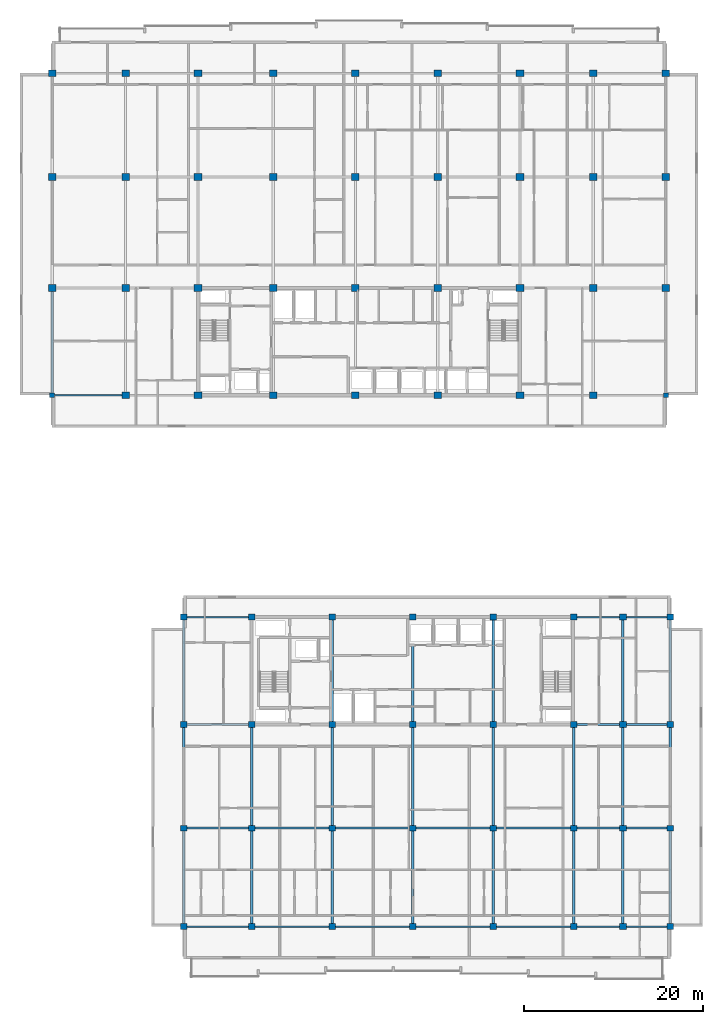
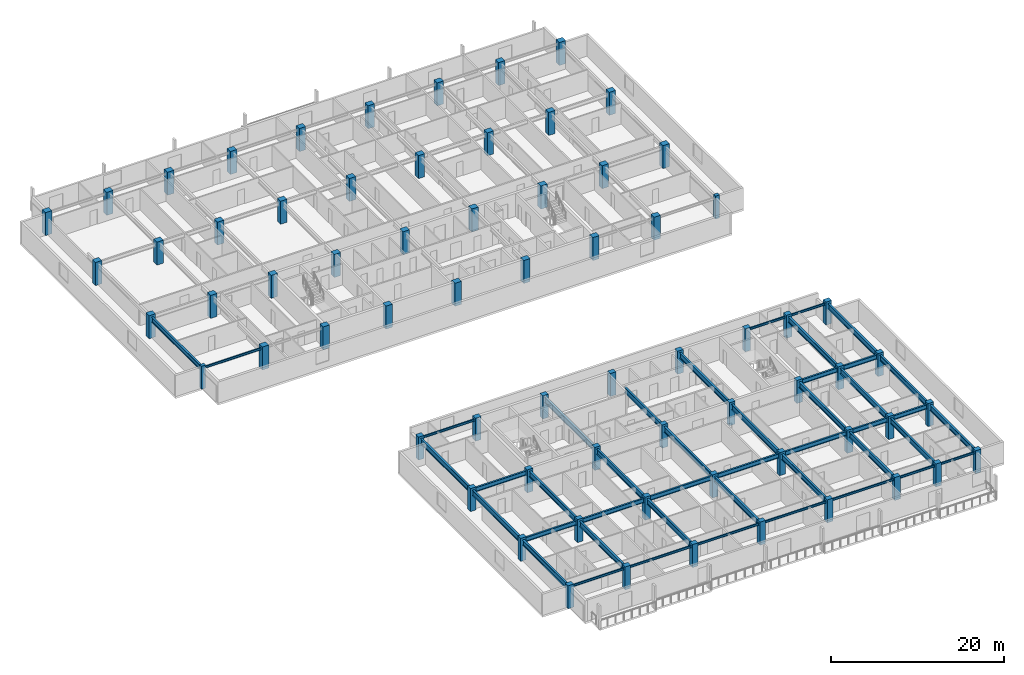
# One storey, part 1 of 21: 68 columns, 44 beams.
"""IFC4 building model written with IfcOpenShell, lengths in metres."""

from ifc_helpers import new_model, si_unit, direction, frame, origin, origin_2d, place, context, subcontext, project, spatial, rectangle, i_section, extrude, material, material_profile, profile_set, type_object, element, save


model = new_model("IFC4")

# Units and contexts
model_context = context("Model", 3, precision=1e-05, world=origin(), true_north=direction((0.0, 1.0)))
body_context = subcontext(model_context, "Body", "Model", "MODEL_VIEW")
ifc_project = project(units=[si_unit("LENGTHUNIT", "METRE"), si_unit("AREAUNIT", "SQUARE_METRE"), si_unit("VOLUMEUNIT", "CUBIC_METRE"), si_unit("PLANEANGLEUNIT", "RADIAN"), si_unit("MASSUNIT", "GRAM", prefix="KILO")], contexts=[model_context])

# Site, building, storey
site_placement = place(None, origin())
site = spatial("IfcSite", under=ifc_project, at=site_placement, CompositionType="ELEMENT")
building_placement = place(site_placement, origin())
building = spatial("IfcBuilding", under=site, at=building_placement, Name="Korimba Cascade Residences", CompositionType="ELEMENT")
storey_placement = place(building_placement, frame((0.0, 0.0, 171.85009765625)))
storey = spatial("IfcBuildingStorey", under=building, at=storey_placement, Name="L49", CompositionType="ELEMENT", Elevation=171.85009765625)

# Columns
ifc_material_1 = material(Name="Concrete C65/80", Category="concrete")
ifc_material_profile_1 = material_profile(ifc_material_1, rectangle(XDim=0.550048828125, YDim=0.449951171875, at=origin_2d()), Name="Concrete C65/80")
ifc_profile_set_1 = profile_set([ifc_material_profile_1], Name="Concrete C65/80")
column_type_1 = type_object("IfcColumnType", Name="COL-PIL-550", PredefinedType="PILASTER", material=ifc_profile_set_1)
for number, where, z_axis, x_axis, name in (
    (1, (59.800048828125, 55.199951171875, 0.0), (0.0, 0.0, 1.0), (1.0, 0.0, 0.0), "L49 Tower 1 Column 1.1"),
    (2, (128.39990234375, 55.199951171875, 0.0), (0.0, 0.0, 1.0), (1.0, 0.0, 0.0), "L49 Tower 1 Column 9.1"),
):
    element("IfcColumn", number, at=place(storey_placement, frame(where, z_axis=z_axis, x_axis=x_axis)), inside=storey, type_object=column_type_1, Name=name, PredefinedType="PILASTER", context=body_context, shape_type="SweptSolid", body=[
        extrude(rectangle(XDim=0.550048828125, YDim=0.449951171875, at=origin_2d()), origin(), (0.0, 0.0, 1.0), 3.25),
    ])
ifc_material_2 = material(Name="Concrete C50/60", Category="concrete")
ifc_material_profile_2 = material_profile(ifc_material_2, rectangle(XDim=0.75, YDim=0.64990234375, at=origin_2d()), Name="Concrete C50/60")
ifc_profile_set_2 = profile_set([ifc_material_profile_2], Name="Concrete C50/60")
column_type_2 = type_object("IfcColumnType", Name="COL-RC-750", PredefinedType="COLUMN", material=ifc_profile_set_2)
for number, where, z_axis, x_axis, name in (
    (3, (74.5, -4.199951171875, 0.0), (0.0, 0.0, 1.0), (1.0, 0.0, 0.0), "L49 Tower 2 Column 1.1"),
    (4, (74.5, 6.800048828125, 0.0), (0.0, 0.0, 1.0), (1.0, 0.0, 0.0), "L49 Tower 2 Column 1.2"),
    (5, (74.5, 18.39990234375, 0.0), (0.0, 0.0, 1.0), (1.0, 0.0, 0.0), "L49 Tower 2 Column 1.3"),
    (6, (74.5, 30.39990234375, 0.0), (0.0, 0.0, 1.0), (1.0, 0.0, 0.0), "L49 Tower 2 Column 1.4"),
    (7, (82.10009765625, -4.199951171875, 0.0), (0.0, 0.0, 1.0), (1.0, 0.0, 0.0), "L49 Tower 2 Column 2.1"),
    (8, (82.10009765625, 6.800048828125, 0.0), (0.0, 0.0, 1.0), (1.0, 0.0, 0.0), "L49 Tower 2 Column 2.2"),
    (9, (82.10009765625, 18.39990234375, 0.0), (0.0, 0.0, 1.0), (1.0, 0.0, 0.0), "L49 Tower 2 Column 2.3"),
    (10, (82.10009765625, 30.39990234375, 0.0), (0.0, 0.0, 1.0), (1.0, 0.0, 0.0), "L49 Tower 2 Column 2.4"),
    (11, (91.10009765625, -4.199951171875, 0.0), (0.0, 0.0, 1.0), (1.0, 0.0, 0.0), "L49 Tower 2 Column 3.1"),
    (12, (91.10009765625, 6.800048828125, 0.0), (0.0, 0.0, 1.0), (1.0, 0.0, 0.0), "L49 Tower 2 Column 3.2"),
    (13, (91.10009765625, 18.39990234375, 0.0), (0.0, 0.0, 1.0), (1.0, 0.0, 0.0), "L49 Tower 2 Column 3.3"),
    (14, (91.10009765625, 30.39990234375, 0.0), (0.0, 0.0, 1.0), (1.0, 0.0, 0.0), "L49 Tower 2 Column 3.4"),
    (15, (100.10009765625, -4.199951171875, 0.0), (0.0, 0.0, 1.0), (1.0, 0.0, 0.0), "L49 Tower 2 Column 4.1"),
    (16, (100.10009765625, 6.800048828125, 0.0), (0.0, 0.0, 1.0), (1.0, 0.0, 0.0), "L49 Tower 2 Column 4.2"),
    (17, (100.10009765625, 18.39990234375, 0.0), (0.0, 0.0, 1.0), (1.0, 0.0, 0.0), "L49 Tower 2 Column 4.3"),
    (18, (100.10009765625, 30.39990234375, 0.0), (0.0, 0.0, 1.0), (1.0, 0.0, 0.0), "L49 Tower 2 Column 4.4"),
    (19, (109.10009765625, -4.199951171875, 0.0), (0.0, 0.0, 1.0), (1.0, 0.0, 0.0), "L49 Tower 2 Column 5.1"),
    (20, (109.10009765625, 6.800048828125, 0.0), (0.0, 0.0, 1.0), (1.0, 0.0, 0.0), "L49 Tower 2 Column 5.2"),
    (21, (109.10009765625, 18.39990234375, 0.0), (0.0, 0.0, 1.0), (1.0, 0.0, 0.0), "L49 Tower 2 Column 5.3"),
    (22, (109.10009765625, 30.39990234375, 0.0), (0.0, 0.0, 1.0), (1.0, 0.0, 0.0), "L49 Tower 2 Column 5.4"),
    (23, (118.10009765625, -4.199951171875, 0.0), (0.0, 0.0, 1.0), (1.0, 0.0, 0.0), "L49 Tower 2 Column 6.1"),
    (24, (118.10009765625, 6.800048828125, 0.0), (0.0, 0.0, 1.0), (1.0, 0.0, 0.0), "L49 Tower 2 Column 6.2"),
    (25, (118.10009765625, 18.39990234375, 0.0), (0.0, 0.0, 1.0), (1.0, 0.0, 0.0), "L49 Tower 2 Column 6.3"),
    (26, (118.10009765625, 30.39990234375, 0.0), (0.0, 0.0, 1.0), (1.0, 0.0, 0.0), "L49 Tower 2 Column 6.4"),
    (27, (123.60009765625, -4.199951171875, 0.0), (0.0, 0.0, 1.0), (1.0, 0.0, 0.0), "L49 Tower 2 Column 7.1"),
    (28, (123.60009765625, 6.800048828125, 0.0), (0.0, 0.0, 1.0), (1.0, 0.0, 0.0), "L49 Tower 2 Column 7.2"),
    (29, (123.60009765625, 18.39990234375, 0.0), (0.0, 0.0, 1.0), (1.0, 0.0, 0.0), "L49 Tower 2 Column 7.3"),
    (30, (123.60009765625, 30.39990234375, 0.0), (0.0, 0.0, 1.0), (1.0, 0.0, 0.0), "L49 Tower 2 Column 7.4"),
    (31, (128.89990234375, -4.199951171875, 0.0), (0.0, 0.0, 1.0), (1.0, 0.0, 0.0), "L49 Tower 2 Column 8.1"),
    (32, (128.89990234375, 6.800048828125, 0.0), (0.0, 0.0, 1.0), (1.0, 0.0, 0.0), "L49 Tower 2 Column 8.2"),
    (33, (128.89990234375, 18.39990234375, 0.0), (0.0, 0.0, 1.0), (1.0, 0.0, 0.0), "L49 Tower 2 Column 8.3"),
    (34, (128.89990234375, 30.39990234375, 0.0), (0.0, 0.0, 1.0), (1.0, 0.0, 0.0), "L49 Tower 2 Column 8.4"),
):
    element("IfcColumn", number, at=place(storey_placement, frame(where, z_axis=z_axis, x_axis=x_axis)), inside=storey, type_object=column_type_2, Name=name, PredefinedType="COLUMN", context=body_context, shape_type="SweptSolid", body=[
        extrude(rectangle(XDim=0.75, YDim=0.64990234375, at=origin_2d()), origin(), (0.0, 0.0, 1.0), 3.25),
    ])
ifc_material_profile_3 = material_profile(ifc_material_1, rectangle(XDim=0.85009765625, YDim=0.75, at=origin_2d()), Name="Concrete C65/80")
ifc_profile_set_3 = profile_set([ifc_material_profile_3], Name="Concrete C65/80")
column_type_3 = type_object("IfcColumnType", Name="COL-RC-850", PredefinedType="COLUMN", material=ifc_profile_set_3)
for number, where, z_axis, x_axis, name in (
    (35, (59.800048828125, 67.199951171875, 0.0), (0.0, 0.0, 1.0), (1.0, 0.0, 0.0), "L49 Tower 1 Column 1.2"),
    (36, (59.800048828125, 79.60009765625, 0.0), (0.0, 0.0, 1.0), (1.0, 0.0, 0.0), "L49 Tower 1 Column 1.3"),
    (37, (59.800048828125, 91.199951171875, 0.0), (0.0, 0.0, 1.0), (1.0, 0.0, 0.0), "L49 Tower 1 Column 1.4"),
    (38, (68.0, 55.199951171875, 0.0), (0.0, 0.0, 1.0), (1.0, 0.0, 0.0), "L49 Tower 1 Column 2.1"),
    (39, (68.0, 67.199951171875, 0.0), (0.0, 0.0, 1.0), (1.0, 0.0, 0.0), "L49 Tower 1 Column 2.2"),
    (40, (68.0, 79.60009765625, 0.0), (0.0, 0.0, 1.0), (1.0, 0.0, 0.0), "L49 Tower 1 Column 2.3"),
    (41, (68.0, 91.199951171875, 0.0), (0.0, 0.0, 1.0), (1.0, 0.0, 0.0), "L49 Tower 1 Column 2.4"),
    (42, (76.10009765625, 55.199951171875, 0.0), (0.0, 0.0, 1.0), (1.0, 0.0, 0.0), "L49 Tower 1 Column 3.1"),
    (43, (76.10009765625, 67.199951171875, 0.0), (0.0, 0.0, 1.0), (1.0, 0.0, 0.0), "L49 Tower 1 Column 3.2"),
    (44, (76.10009765625, 79.60009765625, 0.0), (0.0, 0.0, 1.0), (1.0, 0.0, 0.0), "L49 Tower 1 Column 3.3"),
    (45, (76.10009765625, 91.199951171875, 0.0), (0.0, 0.0, 1.0), (1.0, 0.0, 0.0), "L49 Tower 1 Column 3.4"),
    (46, (84.5, 55.199951171875, 0.0), (0.0, 0.0, 1.0), (1.0, 0.0, 0.0), "L49 Tower 1 Column 4.1"),
    (47, (84.5, 67.199951171875, 0.0), (0.0, 0.0, 1.0), (1.0, 0.0, 0.0), "L49 Tower 1 Column 4.2"),
    (48, (84.5, 79.60009765625, 0.0), (0.0, 0.0, 1.0), (1.0, 0.0, 0.0), "L49 Tower 1 Column 4.3"),
    (49, (84.5, 91.199951171875, 0.0), (0.0, 0.0, 1.0), (1.0, 0.0, 0.0), "L49 Tower 1 Column 4.4"),
    (50, (93.699951171875, 55.199951171875, 0.0), (0.0, 0.0, 1.0), (1.0, 0.0, 0.0), "L49 Tower 1 Column 5.1"),
    (51, (93.699951171875, 67.199951171875, 0.0), (0.0, 0.0, 1.0), (1.0, 0.0, 0.0), "L49 Tower 1 Column 5.2"),
    (52, (93.699951171875, 79.60009765625, 0.0), (0.0, 0.0, 1.0), (1.0, 0.0, 0.0), "L49 Tower 1 Column 5.3"),
    (53, (93.699951171875, 91.199951171875, 0.0), (0.0, 0.0, 1.0), (1.0, 0.0, 0.0), "L49 Tower 1 Column 5.4"),
    (54, (102.89990234375, 55.199951171875, 0.0), (0.0, 0.0, 1.0), (1.0, 0.0, 0.0), "L49 Tower 1 Column 6.1"),
    (55, (102.89990234375, 67.199951171875, 0.0), (0.0, 0.0, 1.0), (1.0, 0.0, 0.0), "L49 Tower 1 Column 6.2"),
    (56, (102.89990234375, 79.60009765625, 0.0), (0.0, 0.0, 1.0), (1.0, 0.0, 0.0), "L49 Tower 1 Column 6.3"),
    (57, (102.89990234375, 91.199951171875, 0.0), (0.0, 0.0, 1.0), (1.0, 0.0, 0.0), "L49 Tower 1 Column 6.4"),
    (58, (112.10009765625, 55.199951171875, 0.0), (0.0, 0.0, 1.0), (1.0, 0.0, 0.0), "L49 Tower 1 Column 7.1"),
    (59, (112.10009765625, 67.199951171875, 0.0), (0.0, 0.0, 1.0), (1.0, 0.0, 0.0), "L49 Tower 1 Column 7.2"),
    (60, (112.10009765625, 79.60009765625, 0.0), (0.0, 0.0, 1.0), (1.0, 0.0, 0.0), "L49 Tower 1 Column 7.3"),
    (61, (112.10009765625, 91.199951171875, 0.0), (0.0, 0.0, 1.0), (1.0, 0.0, 0.0), "L49 Tower 1 Column 7.4"),
    (62, (120.300048828125, 55.199951171875, 0.0), (0.0, 0.0, 1.0), (1.0, 0.0, 0.0), "L49 Tower 1 Column 8.1"),
    (63, (120.300048828125, 67.199951171875, 0.0), (0.0, 0.0, 1.0), (1.0, 0.0, 0.0), "L49 Tower 1 Column 8.2"),
    (64, (120.300048828125, 79.60009765625, 0.0), (0.0, 0.0, 1.0), (1.0, 0.0, 0.0), "L49 Tower 1 Column 8.3"),
    (65, (120.300048828125, 91.199951171875, 0.0), (0.0, 0.0, 1.0), (1.0, 0.0, 0.0), "L49 Tower 1 Column 8.4"),
    (66, (128.39990234375, 67.199951171875, 0.0), (0.0, 0.0, 1.0), (1.0, 0.0, 0.0), "L49 Tower 1 Column 9.2"),
    (67, (128.39990234375, 79.60009765625, 0.0), (0.0, 0.0, 1.0), (1.0, 0.0, 0.0), "L49 Tower 1 Column 9.3"),
    (68, (128.39990234375, 91.199951171875, 0.0), (0.0, 0.0, 1.0), (1.0, 0.0, 0.0), "L49 Tower 1 Column 9.4"),
):
    element("IfcColumn", number, at=place(storey_placement, frame(where, z_axis=z_axis, x_axis=x_axis)), inside=storey, type_object=column_type_3, Name=name, PredefinedType="COLUMN", context=body_context, shape_type="SweptSolid", body=[
        extrude(rectangle(XDim=0.85009765625, YDim=0.75, at=origin_2d()), origin(), (0.0, 0.0, 1.0), 3.25),
    ])

# Beams
ifc_material_3 = material(Name="Steel S355", Category="steel")
ifc_material_profile_4 = material_profile(ifc_material_3, i_section(OverallWidth=0.165771484375, OverallDepth=0.306640625, WebThickness=0.006591796875, FlangeThickness=0.01171875, FilletRadius=0.0087890625, at=origin_2d()), Name="Steel S355")
ifc_profile_set_4 = profile_set([ifc_material_profile_4], Name="Steel S355")
beam_type_1 = type_object("IfcBeamType", Name="BM-STL-UB305", PredefinedType="SPANDREL", material=ifc_profile_set_4)
beam_1_placement = place(storey_placement, frame((60.074951171875, 55.199951171875, 2.816650390625), z_axis=(1.0, 0.0, 0.0), x_axis=(0.0, 1.0, 0.0)))
element("IfcBeam", 69, at=beam_1_placement, inside=storey, type_object=beam_type_1, Name="L49 T1 E-W Girder Y1 Bay 1", PredefinedType="SPANDREL", context=body_context, shape_type="SweptSolid", body=[
    extrude(i_section(OverallWidth=0.165771484375, OverallDepth=0.306640625, WebThickness=0.006591796875, FlangeThickness=0.01171875, FilletRadius=0.0087890625, at=origin_2d()), origin(), (0.0, 0.0, 1.0), 7.5),
])
beam_2_placement = place(storey_placement, frame((74.875, -4.199951171875, 2.816650390625), z_axis=(1.0, 0.0, 0.0), x_axis=(0.0, 1.0, 0.0)))
element("IfcBeam", 70, at=beam_2_placement, inside=storey, type_object=beam_type_1, Name="L49 T2 E-W Girder Y1 Bay 1", PredefinedType="SPANDREL", context=body_context, shape_type="SweptSolid", body=[
    extrude(i_section(OverallWidth=0.165771484375, OverallDepth=0.306640625, WebThickness=0.006591796875, FlangeThickness=0.01171875, FilletRadius=0.0087890625, at=origin_2d()), origin(), (0.0, 0.0, 1.0), 6.85009765625),
])
for number, where, z_axis, x_axis, name in (
    (71, (82.47509765625, -4.199951171875, 2.816650390625), (1.0, 0.0, 0.0), (0.0, 1.0, 0.0), "L49 T2 E-W Girder Y1 Bay 2"),
    (72, (91.47509765625, -4.199951171875, 2.816650390625), (1.0, 0.0, 0.0), (0.0, 1.0, 0.0), "L49 T2 E-W Girder Y1 Bay 3"),
    (73, (100.47509765625, -4.199951171875, 2.816650390625), (1.0, 0.0, 0.0), (0.0, 1.0, 0.0), "L49 T2 E-W Girder Y1 Bay 4"),
    (74, (109.47509765625, -4.199951171875, 2.816650390625), (1.0, 0.0, 0.0), (0.0, 1.0, 0.0), "L49 T2 E-W Girder Y1 Bay 5"),
):
    element("IfcBeam", number, at=place(storey_placement, frame(where, z_axis=z_axis, x_axis=x_axis)), inside=storey, type_object=beam_type_1, Name=name, PredefinedType="SPANDREL", context=body_context, shape_type="SweptSolid", body=[
        extrude(i_section(OverallWidth=0.165771484375, OverallDepth=0.306640625, WebThickness=0.006591796875, FlangeThickness=0.01171875, FilletRadius=0.0087890625, at=origin_2d()), origin(), (0.0, 0.0, 1.0), 8.25),
    ])
beam_3_placement = place(storey_placement, frame((118.47509765625, -4.199951171875, 2.816650390625), z_axis=(1.0, 0.0, 0.0), x_axis=(0.0, 1.0, 0.0)))
element("IfcBeam", 75, at=beam_3_placement, inside=storey, type_object=beam_type_1, Name="L49 T2 E-W Girder Y1 Bay 6", PredefinedType="SPANDREL", context=body_context, shape_type="SweptSolid", body=[
    extrude(i_section(OverallWidth=0.165771484375, OverallDepth=0.306640625, WebThickness=0.006591796875, FlangeThickness=0.01171875, FilletRadius=0.0087890625, at=origin_2d()), origin(), (0.0, 0.0, 1.0), 4.75),
])
beam_4_placement = place(storey_placement, frame((123.97509765625, -4.199951171875, 2.816650390625), z_axis=(1.0, 0.0, 0.0), x_axis=(0.0, 1.0, 0.0)))
element("IfcBeam", 76, at=beam_4_placement, inside=storey, type_object=beam_type_1, Name="L49 T2 E-W Girder Y1 Bay 7", PredefinedType="SPANDREL", context=body_context, shape_type="SweptSolid", body=[
    extrude(i_section(OverallWidth=0.165771484375, OverallDepth=0.306640625, WebThickness=0.006591796875, FlangeThickness=0.01171875, FilletRadius=0.0087890625, at=origin_2d()), origin(), (0.0, 0.0, 1.0), 4.5498046875),
])
beam_5_placement = place(storey_placement, frame((74.875, 30.39990234375, 2.816650390625), z_axis=(1.0, 0.0, 0.0), x_axis=(0.0, 1.0, 0.0)))
element("IfcBeam", 77, at=beam_5_placement, inside=storey, type_object=beam_type_1, Name="L49 T2 E-W Girder Y4 Bay 1", PredefinedType="SPANDREL", context=body_context, shape_type="SweptSolid", body=[
    extrude(i_section(OverallWidth=0.165771484375, OverallDepth=0.306640625, WebThickness=0.006591796875, FlangeThickness=0.01171875, FilletRadius=0.0087890625, at=origin_2d()), origin(), (0.0, 0.0, 1.0), 6.85009765625),
])
beam_6_placement = place(storey_placement, frame((118.47509765625, 30.39990234375, 2.816650390625), z_axis=(1.0, 0.0, 0.0), x_axis=(0.0, 1.0, 0.0)))
element("IfcBeam", 78, at=beam_6_placement, inside=storey, type_object=beam_type_1, Name="L49 T2 E-W Girder Y4 Bay 6", PredefinedType="SPANDREL", context=body_context, shape_type="SweptSolid", body=[
    extrude(i_section(OverallWidth=0.165771484375, OverallDepth=0.306640625, WebThickness=0.006591796875, FlangeThickness=0.01171875, FilletRadius=0.0087890625, at=origin_2d()), origin(), (0.0, 0.0, 1.0), 4.75),
])
beam_7_placement = place(storey_placement, frame((123.97509765625, 30.39990234375, 2.816650390625), z_axis=(1.0, 0.0, 0.0), x_axis=(0.0, 1.0, 0.0)))
element("IfcBeam", 79, at=beam_7_placement, inside=storey, type_object=beam_type_1, Name="L49 T2 E-W Girder Y4 Bay 7", PredefinedType="SPANDREL", context=body_context, shape_type="SweptSolid", body=[
    extrude(i_section(OverallWidth=0.165771484375, OverallDepth=0.306640625, WebThickness=0.006591796875, FlangeThickness=0.01171875, FilletRadius=0.0087890625, at=origin_2d()), origin(), (0.0, 0.0, 1.0), 4.5498046875),
])
ifc_material_profile_5 = material_profile(ifc_material_3, i_section(OverallWidth=0.22900390625, OverallDepth=0.6123046875, WebThickness=0.011962890625, FlangeThickness=0.01953125, FilletRadius=0.0126953125, at=origin_2d()), Name="Steel S355")
ifc_profile_set_5 = profile_set([ifc_material_profile_5], Name="Steel S355")
beam_type_2 = type_object("IfcBeamType", Name="BM-STL-UB610B", PredefinedType="BEAM", material=ifc_profile_set_5)
beam_8_placement = place(storey_placement, frame((74.875, 6.800048828125, 2.663818359375), z_axis=(1.0, 0.0, 0.0), x_axis=(0.0, 1.0, 0.0)))
element("IfcBeam", 80, at=beam_8_placement, inside=storey, type_object=beam_type_2, Name="L49 T2 E-W Girder Y2 Bay 1", PredefinedType="BEAM", context=body_context, shape_type="SweptSolid", body=[
    extrude(i_section(OverallWidth=0.22900390625, OverallDepth=0.6123046875, WebThickness=0.011962890625, FlangeThickness=0.01953125, FilletRadius=0.0126953125, at=origin_2d()), origin(), (0.0, 0.0, 1.0), 6.85009765625),
])
for number, where, z_axis, x_axis, name in (
    (81, (82.47509765625, 6.800048828125, 2.663818359375), (1.0, 0.0, 0.0), (0.0, 1.0, 0.0), "L49 T2 E-W Girder Y2 Bay 2"),
    (82, (91.47509765625, 6.800048828125, 2.663818359375), (1.0, 0.0, 0.0), (0.0, 1.0, 0.0), "L49 T2 E-W Girder Y2 Bay 3"),
    (83, (100.47509765625, 6.800048828125, 2.663818359375), (1.0, 0.0, 0.0), (0.0, 1.0, 0.0), "L49 T2 E-W Girder Y2 Bay 4"),
    (84, (109.47509765625, 6.800048828125, 2.663818359375), (1.0, 0.0, 0.0), (0.0, 1.0, 0.0), "L49 T2 E-W Girder Y2 Bay 5"),
):
    element("IfcBeam", number, at=place(storey_placement, frame(where, z_axis=z_axis, x_axis=x_axis)), inside=storey, type_object=beam_type_2, Name=name, PredefinedType="BEAM", context=body_context, shape_type="SweptSolid", body=[
        extrude(i_section(OverallWidth=0.22900390625, OverallDepth=0.6123046875, WebThickness=0.011962890625, FlangeThickness=0.01953125, FilletRadius=0.0126953125, at=origin_2d()), origin(), (0.0, 0.0, 1.0), 8.25),
    ])
beam_9_placement = place(storey_placement, frame((118.47509765625, 6.800048828125, 2.663818359375), z_axis=(1.0, 0.0, 0.0), x_axis=(0.0, 1.0, 0.0)))
element("IfcBeam", 85, at=beam_9_placement, inside=storey, type_object=beam_type_2, Name="L49 T2 E-W Girder Y2 Bay 6", PredefinedType="BEAM", context=body_context, shape_type="SweptSolid", body=[
    extrude(i_section(OverallWidth=0.22900390625, OverallDepth=0.6123046875, WebThickness=0.011962890625, FlangeThickness=0.01953125, FilletRadius=0.0126953125, at=origin_2d()), origin(), (0.0, 0.0, 1.0), 4.75),
])
beam_10_placement = place(storey_placement, frame((123.97509765625, 6.800048828125, 2.663818359375), z_axis=(1.0, 0.0, 0.0), x_axis=(0.0, 1.0, 0.0)))
element("IfcBeam", 86, at=beam_10_placement, inside=storey, type_object=beam_type_2, Name="L49 T2 E-W Girder Y2 Bay 7", PredefinedType="BEAM", context=body_context, shape_type="SweptSolid", body=[
    extrude(i_section(OverallWidth=0.22900390625, OverallDepth=0.6123046875, WebThickness=0.011962890625, FlangeThickness=0.01953125, FilletRadius=0.0126953125, at=origin_2d()), origin(), (0.0, 0.0, 1.0), 4.5498046875),
])
beam_11_placement = place(storey_placement, frame((74.875, 18.39990234375, 2.663818359375), z_axis=(1.0, 0.0, 0.0), x_axis=(0.0, 1.0, 0.0)))
element("IfcBeam", 87, at=beam_11_placement, inside=storey, type_object=beam_type_2, Name="L49 T2 E-W Girder Y3 Bay 1", PredefinedType="BEAM", context=body_context, shape_type="SweptSolid", body=[
    extrude(i_section(OverallWidth=0.22900390625, OverallDepth=0.6123046875, WebThickness=0.011962890625, FlangeThickness=0.01953125, FilletRadius=0.0126953125, at=origin_2d()), origin(), (0.0, 0.0, 1.0), 6.85009765625),
])
beam_12_placement = place(storey_placement, frame((118.47509765625, 18.39990234375, 2.663818359375), z_axis=(1.0, 0.0, 0.0), x_axis=(0.0, 1.0, 0.0)))
element("IfcBeam", 88, at=beam_12_placement, inside=storey, type_object=beam_type_2, Name="L49 T2 E-W Girder Y3 Bay 6", PredefinedType="BEAM", context=body_context, shape_type="SweptSolid", body=[
    extrude(i_section(OverallWidth=0.22900390625, OverallDepth=0.6123046875, WebThickness=0.011962890625, FlangeThickness=0.01953125, FilletRadius=0.0126953125, at=origin_2d()), origin(), (0.0, 0.0, 1.0), 4.75),
])
beam_13_placement = place(storey_placement, frame((123.97509765625, 18.39990234375, 2.663818359375), z_axis=(1.0, 0.0, 0.0), x_axis=(0.0, 1.0, 0.0)))
element("IfcBeam", 89, at=beam_13_placement, inside=storey, type_object=beam_type_2, Name="L49 T2 E-W Girder Y3 Bay 7", PredefinedType="BEAM", context=body_context, shape_type="SweptSolid", body=[
    extrude(i_section(OverallWidth=0.22900390625, OverallDepth=0.6123046875, WebThickness=0.011962890625, FlangeThickness=0.01953125, FilletRadius=0.0126953125, at=origin_2d()), origin(), (0.0, 0.0, 1.0), 4.5498046875),
])
ifc_material_profile_6 = material_profile(ifc_material_3, i_section(OverallWidth=0.255859375, OverallDepth=0.69287109375, WebThickness=0.014404296875, FlangeThickness=0.023681640625, FilletRadius=0.01513671875, at=origin_2d()), Name="Steel S355")
ifc_profile_set_6 = profile_set([ifc_material_profile_6], Name="Steel S355")
beam_type_3 = type_object("IfcBeamType", Name="BM-STL-UB686", PredefinedType="BEAM", material=ifc_profile_set_6)
beam_14_placement = place(storey_placement, frame((59.800048828125, 55.425048828125, 2.623291015625), z_axis=(0.0, 1.0, 0.0), x_axis=(-1.0, 0.0, 0.0)))
element("IfcBeam", 90, at=beam_14_placement, inside=storey, type_object=beam_type_3, Name="L49 T1 N-S Girder X1 Seg 1", PredefinedType="BEAM", context=body_context, shape_type="SweptSolid", body=[
    extrude(i_section(OverallWidth=0.255859375, OverallDepth=0.69287109375, WebThickness=0.014404296875, FlangeThickness=0.023681640625, FilletRadius=0.01513671875, at=origin_2d()), origin(), (0.0, 0.0, 1.0), 11.39990234375),
])
ifc_material_profile_7 = material_profile(ifc_material_3, i_section(OverallWidth=0.26806640625, OverallDepth=0.769775390625, WebThickness=0.015625, FlangeThickness=0.025390625, FilletRadius=0.0166015625, at=origin_2d()), Name="Steel S355")
ifc_profile_set_7 = profile_set([ifc_material_profile_7], Name="Steel S355")
beam_type_4 = type_object("IfcBeamType", Name="BM-STL-UB762", PredefinedType="BEAM", material=ifc_profile_set_7)
beam_15_placement = place(storey_placement, frame((74.5, -3.875, 2.5849609375), z_axis=(0.0, 1.0, 0.0), x_axis=(-1.0, 0.0, 0.0)))
element("IfcBeam", 91, at=beam_15_placement, inside=storey, type_object=beam_type_4, Name="L49 T2 N-S Girder X1 Seg 1", PredefinedType="BEAM", context=body_context, shape_type="SweptSolid", body=[
    extrude(i_section(OverallWidth=0.26806640625, OverallDepth=0.769775390625, WebThickness=0.015625, FlangeThickness=0.025390625, FilletRadius=0.0166015625, at=origin_2d()), origin(), (0.0, 0.0, 1.0), 10.35009765625),
])
beam_16_placement = place(storey_placement, frame((74.5, 7.125, 2.5849609375), z_axis=(0.0, 1.0, 0.0), x_axis=(-1.0, 0.0, 0.0)))
element("IfcBeam", 92, at=beam_16_placement, inside=storey, type_object=beam_type_4, Name="L49 T2 N-S Girder X1 Seg 2", PredefinedType="BEAM", context=body_context, shape_type="SweptSolid", body=[
    extrude(i_section(OverallWidth=0.26806640625, OverallDepth=0.769775390625, WebThickness=0.015625, FlangeThickness=0.025390625, FilletRadius=0.0166015625, at=origin_2d()), origin(), (0.0, 0.0, 1.0), 10.949951171875),
])
beam_17_placement = place(storey_placement, frame((74.5, 18.72509765625, 2.5849609375), z_axis=(0.0, 1.0, 0.0), x_axis=(-1.0, 0.0, 0.0)))
element("IfcBeam", 93, at=beam_17_placement, inside=storey, type_object=beam_type_4, Name="L49 T2 N-S Girder X1 Seg 3", PredefinedType="BEAM", context=body_context, shape_type="SweptSolid", body=[
    extrude(i_section(OverallWidth=0.26806640625, OverallDepth=0.769775390625, WebThickness=0.015625, FlangeThickness=0.025390625, FilletRadius=0.0166015625, at=origin_2d()), origin(), (0.0, 0.0, 1.0), 11.349853515625),
])
beam_18_placement = place(storey_placement, frame((82.10009765625, -3.875, 2.5849609375), z_axis=(0.0, 1.0, 0.0), x_axis=(-1.0, 0.0, 0.0)))
element("IfcBeam", 94, at=beam_18_placement, inside=storey, type_object=beam_type_4, Name="L49 T2 N-S Girder X2 Seg 1", PredefinedType="BEAM", context=body_context, shape_type="SweptSolid", body=[
    extrude(i_section(OverallWidth=0.26806640625, OverallDepth=0.769775390625, WebThickness=0.015625, FlangeThickness=0.025390625, FilletRadius=0.0166015625, at=origin_2d()), origin(), (0.0, 0.0, 1.0), 10.35009765625),
])
beam_19_placement = place(storey_placement, frame((82.10009765625, 7.125, 2.5849609375), z_axis=(0.0, 1.0, 0.0), x_axis=(-1.0, 0.0, 0.0)))
element("IfcBeam", 95, at=beam_19_placement, inside=storey, type_object=beam_type_4, Name="L49 T2 N-S Girder X2 Seg 2", PredefinedType="BEAM", context=body_context, shape_type="SweptSolid", body=[
    extrude(i_section(OverallWidth=0.26806640625, OverallDepth=0.769775390625, WebThickness=0.015625, FlangeThickness=0.025390625, FilletRadius=0.0166015625, at=origin_2d()), origin(), (0.0, 0.0, 1.0), 10.949951171875),
])
beam_20_placement = place(storey_placement, frame((91.10009765625, -3.875, 2.5849609375), z_axis=(0.0, 1.0, 0.0), x_axis=(-1.0, 0.0, 0.0)))
element("IfcBeam", 96, at=beam_20_placement, inside=storey, type_object=beam_type_4, Name="L49 T2 N-S Girder X3 Seg 1", PredefinedType="BEAM", context=body_context, shape_type="SweptSolid", body=[
    extrude(i_section(OverallWidth=0.26806640625, OverallDepth=0.769775390625, WebThickness=0.015625, FlangeThickness=0.025390625, FilletRadius=0.0166015625, at=origin_2d()), origin(), (0.0, 0.0, 1.0), 10.35009765625),
])
beam_21_placement = place(storey_placement, frame((91.10009765625, 7.125, 2.5849609375), z_axis=(0.0, 1.0, 0.0), x_axis=(-1.0, 0.0, 0.0)))
element("IfcBeam", 97, at=beam_21_placement, inside=storey, type_object=beam_type_4, Name="L49 T2 N-S Girder X3 Seg 2", PredefinedType="BEAM", context=body_context, shape_type="SweptSolid", body=[
    extrude(i_section(OverallWidth=0.26806640625, OverallDepth=0.769775390625, WebThickness=0.015625, FlangeThickness=0.025390625, FilletRadius=0.0166015625, at=origin_2d()), origin(), (0.0, 0.0, 1.0), 10.949951171875),
])
beam_22_placement = place(storey_placement, frame((91.10009765625, 18.72509765625, 2.5849609375), z_axis=(0.0, 1.0, 0.0), x_axis=(-1.0, 0.0, 0.0)))
element("IfcBeam", 98, at=beam_22_placement, inside=storey, type_object=beam_type_4, Name="L49 T2 N-S Girder X3 Seg 3", PredefinedType="BEAM", context=body_context, shape_type="SweptSolid", body=[
    extrude(i_section(OverallWidth=0.26806640625, OverallDepth=0.769775390625, WebThickness=0.015625, FlangeThickness=0.025390625, FilletRadius=0.0166015625, at=origin_2d()), origin(), (0.0, 0.0, 1.0), 11.349853515625),
])
beam_23_placement = place(storey_placement, frame((100.10009765625, -3.875, 2.5849609375), z_axis=(0.0, 1.0, 0.0), x_axis=(-1.0, 0.0, 0.0)))
element("IfcBeam", 99, at=beam_23_placement, inside=storey, type_object=beam_type_4, Name="L49 T2 N-S Girder X4 Seg 1", PredefinedType="BEAM", context=body_context, shape_type="SweptSolid", body=[
    extrude(i_section(OverallWidth=0.26806640625, OverallDepth=0.769775390625, WebThickness=0.015625, FlangeThickness=0.025390625, FilletRadius=0.0166015625, at=origin_2d()), origin(), (0.0, 0.0, 1.0), 10.35009765625),
])
beam_24_placement = place(storey_placement, frame((100.10009765625, 7.125, 2.5849609375), z_axis=(0.0, 1.0, 0.0), x_axis=(-1.0, 0.0, 0.0)))
element("IfcBeam", 100, at=beam_24_placement, inside=storey, type_object=beam_type_4, Name="L49 T2 N-S Girder X4 Seg 2", PredefinedType="BEAM", context=body_context, shape_type="SweptSolid", body=[
    extrude(i_section(OverallWidth=0.26806640625, OverallDepth=0.769775390625, WebThickness=0.015625, FlangeThickness=0.025390625, FilletRadius=0.0166015625, at=origin_2d()), origin(), (0.0, 0.0, 1.0), 10.949951171875),
])
beam_25_placement = place(storey_placement, frame((100.10009765625, 18.72509765625, 2.5849609375), z_axis=(0.0, 1.0, 0.0), x_axis=(-1.0, 0.0, 0.0)))
element("IfcBeam", 101, at=beam_25_placement, inside=storey, type_object=beam_type_4, Name="L49 T2 N-S Girder X4 Seg 3", PredefinedType="BEAM", context=body_context, shape_type="SweptSolid", body=[
    extrude(i_section(OverallWidth=0.26806640625, OverallDepth=0.769775390625, WebThickness=0.015625, FlangeThickness=0.025390625, FilletRadius=0.0166015625, at=origin_2d()), origin(), (0.0, 0.0, 1.0), 8.614990234375),
])
beam_26_placement = place(storey_placement, frame((109.10009765625, -3.875, 2.5849609375), z_axis=(0.0, 1.0, 0.0), x_axis=(-1.0, 0.0, 0.0)))
element("IfcBeam", 102, at=beam_26_placement, inside=storey, type_object=beam_type_4, Name="L49 T2 N-S Girder X5 Seg 1", PredefinedType="BEAM", context=body_context, shape_type="SweptSolid", body=[
    extrude(i_section(OverallWidth=0.26806640625, OverallDepth=0.769775390625, WebThickness=0.015625, FlangeThickness=0.025390625, FilletRadius=0.0166015625, at=origin_2d()), origin(), (0.0, 0.0, 1.0), 10.35009765625),
])
beam_27_placement = place(storey_placement, frame((109.10009765625, 7.125, 2.5849609375), z_axis=(0.0, 1.0, 0.0), x_axis=(-1.0, 0.0, 0.0)))
element("IfcBeam", 103, at=beam_27_placement, inside=storey, type_object=beam_type_4, Name="L49 T2 N-S Girder X5 Seg 2", PredefinedType="BEAM", context=body_context, shape_type="SweptSolid", body=[
    extrude(i_section(OverallWidth=0.26806640625, OverallDepth=0.769775390625, WebThickness=0.015625, FlangeThickness=0.025390625, FilletRadius=0.0166015625, at=origin_2d()), origin(), (0.0, 0.0, 1.0), 10.949951171875),
])
beam_28_placement = place(storey_placement, frame((109.10009765625, 18.72509765625, 2.5849609375), z_axis=(0.0, 1.0, 0.0), x_axis=(-1.0, 0.0, 0.0)))
element("IfcBeam", 104, at=beam_28_placement, inside=storey, type_object=beam_type_4, Name="L49 T2 N-S Girder X5 Seg 3", PredefinedType="BEAM", context=body_context, shape_type="SweptSolid", body=[
    extrude(i_section(OverallWidth=0.26806640625, OverallDepth=0.769775390625, WebThickness=0.015625, FlangeThickness=0.025390625, FilletRadius=0.0166015625, at=origin_2d()), origin(), (0.0, 0.0, 1.0), 11.349853515625),
])
beam_29_placement = place(storey_placement, frame((118.10009765625, -3.875, 2.5849609375), z_axis=(0.0, 1.0, 0.0), x_axis=(-1.0, 0.0, 0.0)))
element("IfcBeam", 105, at=beam_29_placement, inside=storey, type_object=beam_type_4, Name="L49 T2 N-S Girder X6 Seg 1", PredefinedType="BEAM", context=body_context, shape_type="SweptSolid", body=[
    extrude(i_section(OverallWidth=0.26806640625, OverallDepth=0.769775390625, WebThickness=0.015625, FlangeThickness=0.025390625, FilletRadius=0.0166015625, at=origin_2d()), origin(), (0.0, 0.0, 1.0), 10.35009765625),
])
beam_30_placement = place(storey_placement, frame((118.10009765625, 7.125, 2.5849609375), z_axis=(0.0, 1.0, 0.0), x_axis=(-1.0, 0.0, 0.0)))
element("IfcBeam", 106, at=beam_30_placement, inside=storey, type_object=beam_type_4, Name="L49 T2 N-S Girder X6 Seg 2", PredefinedType="BEAM", context=body_context, shape_type="SweptSolid", body=[
    extrude(i_section(OverallWidth=0.26806640625, OverallDepth=0.769775390625, WebThickness=0.015625, FlangeThickness=0.025390625, FilletRadius=0.0166015625, at=origin_2d()), origin(), (0.0, 0.0, 1.0), 10.949951171875),
])
beam_31_placement = place(storey_placement, frame((123.60009765625, -3.875, 2.5849609375), z_axis=(0.0, 1.0, 0.0), x_axis=(-1.0, 0.0, 0.0)))
element("IfcBeam", 107, at=beam_31_placement, inside=storey, type_object=beam_type_4, Name="L49 T2 N-S Girder X7 Seg 1", PredefinedType="BEAM", context=body_context, shape_type="SweptSolid", body=[
    extrude(i_section(OverallWidth=0.26806640625, OverallDepth=0.769775390625, WebThickness=0.015625, FlangeThickness=0.025390625, FilletRadius=0.0166015625, at=origin_2d()), origin(), (0.0, 0.0, 1.0), 10.35009765625),
])
beam_32_placement = place(storey_placement, frame((123.60009765625, 7.125, 2.5849609375), z_axis=(0.0, 1.0, 0.0), x_axis=(-1.0, 0.0, 0.0)))
element("IfcBeam", 108, at=beam_32_placement, inside=storey, type_object=beam_type_4, Name="L49 T2 N-S Girder X7 Seg 2", PredefinedType="BEAM", context=body_context, shape_type="SweptSolid", body=[
    extrude(i_section(OverallWidth=0.26806640625, OverallDepth=0.769775390625, WebThickness=0.015625, FlangeThickness=0.025390625, FilletRadius=0.0166015625, at=origin_2d()), origin(), (0.0, 0.0, 1.0), 10.949951171875),
])
beam_33_placement = place(storey_placement, frame((123.60009765625, 18.72509765625, 2.5849609375), z_axis=(0.0, 1.0, 0.0), x_axis=(-1.0, 0.0, 0.0)))
element("IfcBeam", 109, at=beam_33_placement, inside=storey, type_object=beam_type_4, Name="L49 T2 N-S Girder X7 Seg 3", PredefinedType="BEAM", context=body_context, shape_type="SweptSolid", body=[
    extrude(i_section(OverallWidth=0.26806640625, OverallDepth=0.769775390625, WebThickness=0.015625, FlangeThickness=0.025390625, FilletRadius=0.0166015625, at=origin_2d()), origin(), (0.0, 0.0, 1.0), 11.349853515625),
])
beam_34_placement = place(storey_placement, frame((128.89990234375, -3.875, 2.5849609375), z_axis=(0.0, 1.0, 0.0), x_axis=(-1.0, 0.0, 0.0)))
element("IfcBeam", 110, at=beam_34_placement, inside=storey, type_object=beam_type_4, Name="L49 T2 N-S Girder X8 Seg 1", PredefinedType="BEAM", context=body_context, shape_type="SweptSolid", body=[
    extrude(i_section(OverallWidth=0.26806640625, OverallDepth=0.769775390625, WebThickness=0.015625, FlangeThickness=0.025390625, FilletRadius=0.0166015625, at=origin_2d()), origin(), (0.0, 0.0, 1.0), 10.35009765625),
])
beam_35_placement = place(storey_placement, frame((128.89990234375, 7.125, 2.5849609375), z_axis=(0.0, 1.0, 0.0), x_axis=(-1.0, 0.0, 0.0)))
element("IfcBeam", 111, at=beam_35_placement, inside=storey, type_object=beam_type_4, Name="L49 T2 N-S Girder X8 Seg 2", PredefinedType="BEAM", context=body_context, shape_type="SweptSolid", body=[
    extrude(i_section(OverallWidth=0.26806640625, OverallDepth=0.769775390625, WebThickness=0.015625, FlangeThickness=0.025390625, FilletRadius=0.0166015625, at=origin_2d()), origin(), (0.0, 0.0, 1.0), 10.949951171875),
])
beam_36_placement = place(storey_placement, frame((128.89990234375, 18.72509765625, 2.5849609375), z_axis=(0.0, 1.0, 0.0), x_axis=(-1.0, 0.0, 0.0)))
element("IfcBeam", 112, at=beam_36_placement, inside=storey, type_object=beam_type_4, Name="L49 T2 N-S Girder X8 Seg 3", PredefinedType="BEAM", context=body_context, shape_type="SweptSolid", body=[
    extrude(i_section(OverallWidth=0.26806640625, OverallDepth=0.769775390625, WebThickness=0.015625, FlangeThickness=0.025390625, FilletRadius=0.0166015625, at=origin_2d()), origin(), (0.0, 0.0, 1.0), 11.349853515625),
])

save(model, "model.ifc")
